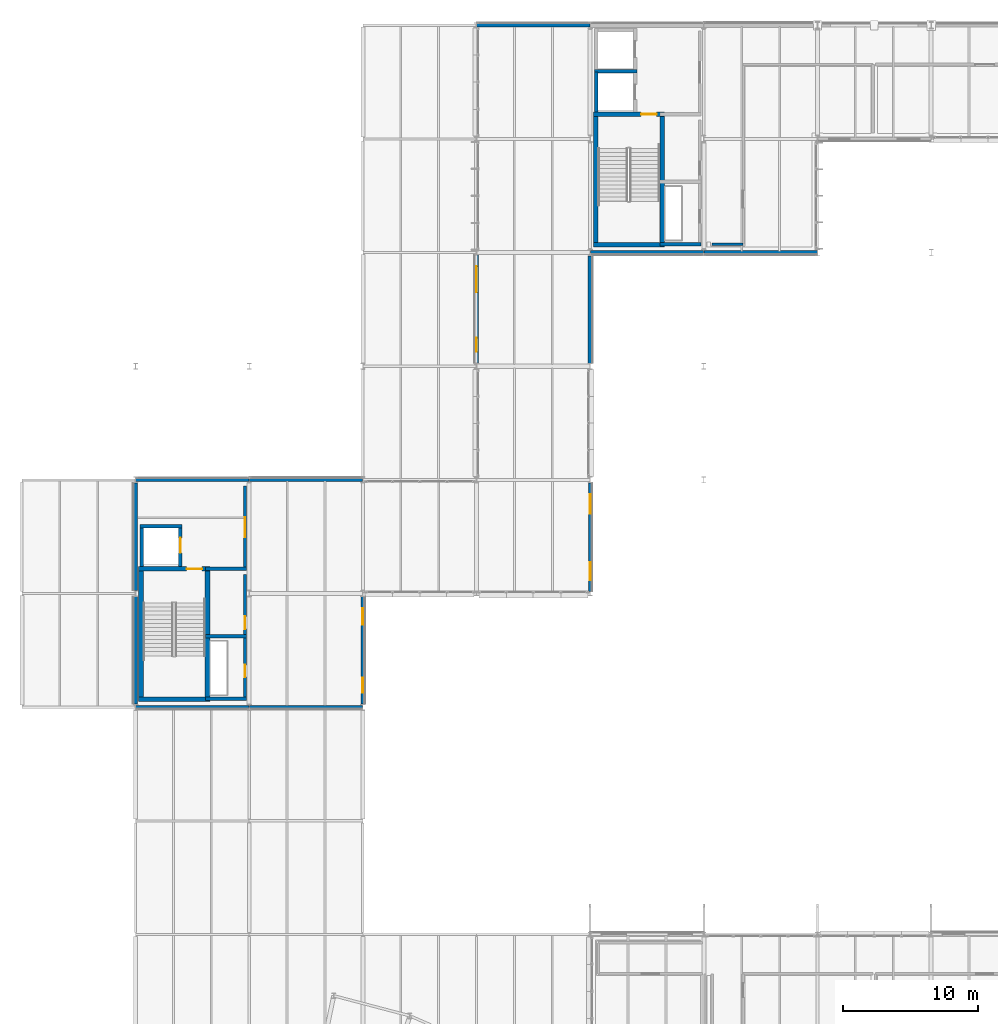
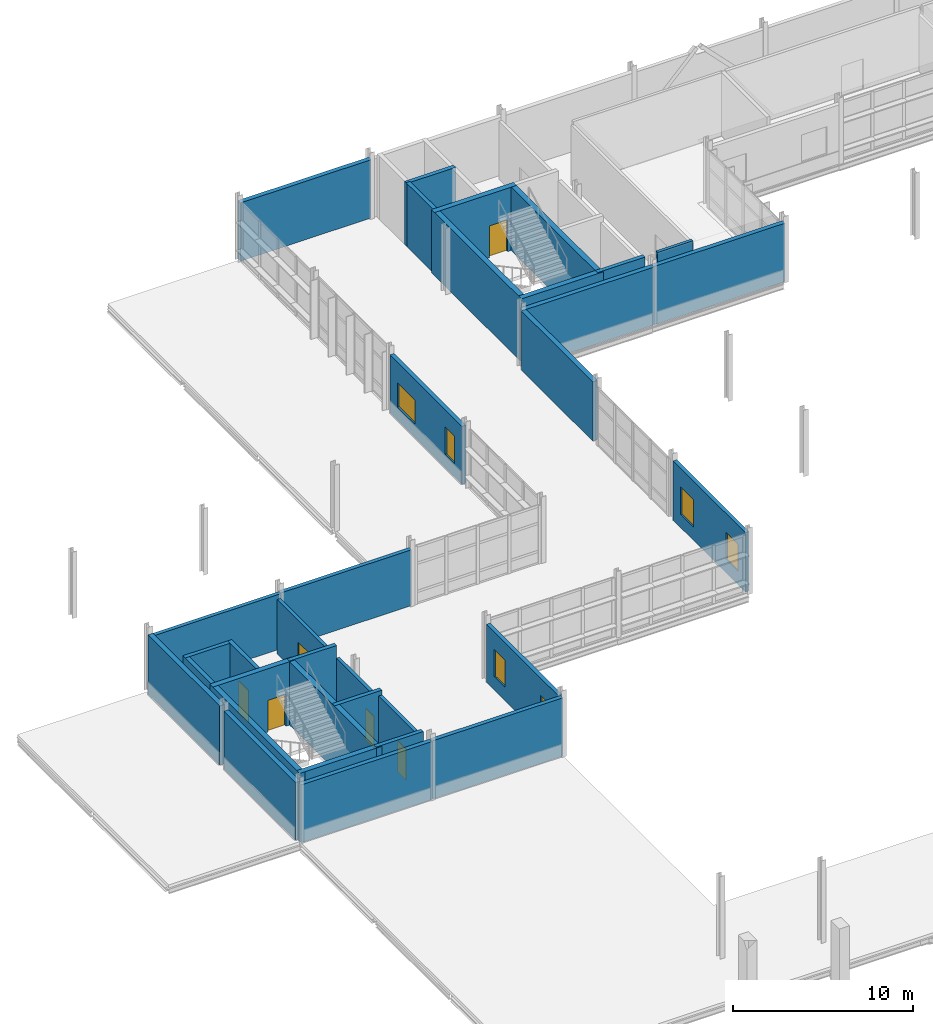
# One storey, part 97 of 129: 34 walls, 6 doors, 6 windows, 12 openings.
"""IFC4 building model written with IfcOpenShell, lengths in metres."""

from ifc_helpers import new_model, si_unit, direction, frame, frame_2d, origin, place, context, subcontext, project, spatial, rectangle, extrude, material, layer, layer_set, type_object, element, fill, save


model = new_model("IFC4")

# Units and contexts
model_context = context("Model", 3, precision=1e-05, world=origin(), true_north=direction((0.0, 1.0)))
body_context = subcontext(model_context, "Body", "Model", "MODEL_VIEW")
ifc_project = project(units=[si_unit("LENGTHUNIT", "METRE"), si_unit("AREAUNIT", "SQUARE_METRE"), si_unit("VOLUMEUNIT", "CUBIC_METRE"), si_unit("PLANEANGLEUNIT", "RADIAN"), si_unit("MASSUNIT", "GRAM", prefix="KILO")], contexts=[model_context])

# Site, building, storey
site_placement = place(None, origin())
site = spatial("IfcSite", under=ifc_project, at=site_placement, CompositionType="ELEMENT")
building_placement = place(site_placement, origin())
building = spatial("IfcBuilding", under=site, at=building_placement, Name="Mersafa Astral City Hall", CompositionType="ELEMENT")
storey_placement = place(building_placement, frame((0.0, 0.0, 5.39990234375)))
storey = spatial("IfcBuildingStorey", under=building, at=storey_placement, Name="L01", CompositionType="ELEMENT", Elevation=5.39990234375)

# Wall
ifc_material_1 = material(Name="Precast concrete C40/50 insulated terracotta spandrel", Category="masonry")
ifc_layer_1 = layer(ifc_material_1, 0.235107421875, Name="Precast concrete C40/50 insulated terracotta spandrel")
ifc_layer_set_1 = layer_set([ifc_layer_1], Name="Precast concrete C40/50 insulated terracotta spandrel — ENV-WAL-EXT-235")
wall_type_1 = type_object("IfcWallType", Name="ENV-WAL-EXT-235", PredefinedType="STANDARD", material=ifc_layer_set_1)
wall_1_placement = place(storey_placement, frame((16.7919921875, 92.39990234375, 0.0), z_axis=(0.0, 0.0, 1.0), x_axis=(-1.0, 0.0, 0.0)))
element("IfcWall", 1, at=wall_1_placement, inside=storey, type_object=wall_type_1, Name="L01 Limestone-clad exterior wall 125", PredefinedType="STANDARD", context=body_context, shape_type="SweptSolid", body=[
    extrude(rectangle(XDim=8.384033203125, YDim=0.235107421875, at=frame_2d((4.19189453125, 0.0))), origin(), (0.0, 0.0, 1.0), 3.732177734375),
])

# Wall, openings, windows
wall_2_placement = place(storey_placement, frame((42.0, 84.14599609375, 0.0), z_axis=(0.0, 0.0, 1.0), x_axis=(0.0, 1.0, 0.0)))
wall_2 = element("IfcWall", 2, at=wall_2_placement, inside=storey, type_object=wall_type_1, Name="L01 Limestone-clad exterior wall 131", PredefinedType="STANDARD", context=body_context, shape_type="SweptSolid", body=[
    extrude(rectangle(XDim=8.032958984375, YDim=0.235107421875, at=frame_2d((4.0166015625, 0.0))), origin(), (0.0, 0.0, 1.0), 4.01220703125),
])
opening_1_placement = place(wall_2_placement, frame((0.85009765625, 0.0, 0.89990234375)))
opening_1 = element("IfcOpeningElement", 3, at=opening_1_placement, cuts=wall_2, Name="Opening W-44", PredefinedType="OPENING", context=body_context, shape_type="SweptSolid", body=[
    extrude(rectangle(XDim=1.320068359375, YDim=1.85009765625, at=frame_2d((0.66015625, 0.925048828125))), frame((0.0, 0.12744140625, 0.0), z_axis=(0.0, -1.0, 0.0), x_axis=(1.0, 0.0, 0.0)), (0.0, 0.0, 1.0), 0.255126953125),
])
opening_2_placement = place(wall_2_placement, frame((5.762939453125, 0.0, 0.89990234375)))
opening_2 = element("IfcOpeningElement", 4, at=opening_2_placement, cuts=wall_2, Name="Opening W-45", PredefinedType="OPENING", context=body_context, shape_type="SweptSolid", body=[
    extrude(rectangle(XDim=1.419921875, YDim=1.85009765625, at=frame_2d((0.7099609375, 0.925048828125))), frame((0.0, 0.12744140625, 0.0), z_axis=(0.0, -1.0, 0.0), x_axis=(1.0, 0.0, 0.0)), (0.0, 0.0, 1.0), 0.255126953125),
])
ifc_material_2 = material(Name="Solar control low-e double glazing in bronze frame", Category="glass")
window_type_1 = type_object("IfcWindowType", Name="ENV-WIN-W-44", PartitioningType="SINGLE_PANEL", PredefinedType="WINDOW", material=ifc_material_2)
window_1_placement = place(opening_1_placement, origin())
window_1 = element("IfcWindow", 5, at=window_1_placement, inside=storey, type_object=window_type_1, Name="L01 Solar punched window 131-L", OverallHeight=1.85009765625, OverallWidth=1.320068359375, PartitioningType="SINGLE_PANEL", PredefinedType="WINDOW", context=body_context, shape_type="SweptSolid", body=[
    extrude(rectangle(XDim=1.320068359375, YDim=1.85009765625, at=frame_2d((0.66015625, 0.925048828125))), frame((0.0, 0.030029296875, 0.0), z_axis=(0.0, -1.0, 0.0), x_axis=(1.0, 0.0, 0.0)), (0.0, 0.0, 1.0), 0.06005859375),
])
fill(opening_1, window_1)
window_type_2 = type_object("IfcWindowType", Name="ENV-WIN-W-45", PartitioningType="SINGLE_PANEL", PredefinedType="WINDOW", material=ifc_material_2)
window_2_placement = place(opening_2_placement, origin())
window_2 = element("IfcWindow", 6, at=window_2_placement, inside=storey, type_object=window_type_2, Name="L01 Solar punched window 131-R", OverallHeight=1.85009765625, OverallWidth=1.419921875, PartitioningType="SINGLE_PANEL", PredefinedType="WINDOW", context=body_context, shape_type="SweptSolid", body=[
    extrude(rectangle(XDim=1.419921875, YDim=1.85009765625, at=frame_2d((0.7099609375, 0.925048828125))), frame((0.0, 0.030029296875, 0.0), z_axis=(0.0, -1.0, 0.0), x_axis=(1.0, 0.0, 0.0)), (0.0, 0.0, 1.0), 0.06005859375),
])
fill(opening_2, window_2)

# Wall
ifc_layer_2 = layer(ifc_material_1, 0.25, Name="Precast concrete C40/50 insulated terracotta spandrel")
ifc_layer_set_2 = layer_set([ifc_layer_2], Name="Precast concrete C40/50 insulated terracotta spandrel — ENV-WAL-EXT-250")
wall_type_2 = type_object("IfcWallType", Name="ENV-WAL-EXT-250", PredefinedType="STANDARD", material=ifc_layer_set_2)
wall_3_placement = place(storey_placement, frame((25.19189453125, 92.39990234375, 0.0), z_axis=(0.0, 0.0, 1.0), x_axis=(-1.0, 0.0, 0.0)))
element("IfcWall", 7, at=wall_3_placement, inside=storey, type_object=wall_type_2, Name="L01 Limestone-clad exterior wall 124", PredefinedType="STANDARD", context=body_context, shape_type="SweptSolid", body=[
    extrude(rectangle(XDim=8.3837890625, YDim=0.25, at=frame_2d((4.19189453125, 0.0))), origin(), (0.0, 0.0, 1.0), 3.781982421875),
])

# Wall, openings, windows
wall_4_placement = place(storey_placement, frame((25.199951171875, 75.821044921875, 0.0), z_axis=(0.0, 0.0, 1.0), x_axis=(0.0, 1.0, 0.0)))
wall_4 = element("IfcWall", 8, at=wall_4_placement, inside=storey, type_object=wall_type_2, Name="L01 Limestone-clad exterior wall 130", PredefinedType="STANDARD", context=body_context, shape_type="SweptSolid", body=[
    extrude(rectangle(XDim=7.9580078125, YDim=0.25, at=frame_2d((3.97900390625, 0.0))), origin(), (0.0, 0.0, 1.0), 3.922119140625),
])
opening_3_placement = place(wall_4_placement, frame((0.85009765625, 0.0, 0.89990234375)))
opening_3 = element("IfcOpeningElement", 9, at=opening_3_placement, cuts=wall_4, Name="Opening W-42", PredefinedType="OPENING", context=body_context, shape_type="SweptSolid", body=[
    extrude(rectangle(XDim=1.1201171875, YDim=1.85009765625, at=frame_2d((0.56005859375, 0.925048828125))), frame((0.0, 0.135009765625, 0.0), z_axis=(0.0, -1.0, 0.0), x_axis=(1.0, 0.0, 0.0)), (0.0, 0.0, 1.0), 0.27001953125),
])
opening_4_placement = place(wall_4_placement, frame((5.887939453125, 0.0, 0.89990234375)))
opening_4 = element("IfcOpeningElement", 10, at=opening_4_placement, cuts=wall_4, Name="Opening W-43", PredefinedType="OPENING", context=body_context, shape_type="SweptSolid", body=[
    extrude(rectangle(XDim=1.219970703125, YDim=1.85009765625, at=frame_2d((0.60986328125, 0.925048828125))), frame((0.0, 0.135009765625, 0.0), z_axis=(0.0, -1.0, 0.0), x_axis=(1.0, 0.0, 0.0)), (0.0, 0.0, 1.0), 0.27001953125),
])
window_type_3 = type_object("IfcWindowType", Name="ENV-WIN-W-42", PartitioningType="SINGLE_PANEL", PredefinedType="WINDOW", material=ifc_material_2)
window_3_placement = place(opening_3_placement, origin())
window_3 = element("IfcWindow", 11, at=window_3_placement, inside=storey, type_object=window_type_3, Name="L01 Solar punched window 130-L", OverallHeight=1.85009765625, OverallWidth=1.1201171875, PartitioningType="SINGLE_PANEL", PredefinedType="WINDOW", context=body_context, shape_type="SweptSolid", body=[
    extrude(rectangle(XDim=1.1201171875, YDim=1.85009765625, at=frame_2d((0.56005859375, 0.925048828125))), frame((0.0, 0.030029296875, 0.0), z_axis=(0.0, -1.0, 0.0), x_axis=(1.0, 0.0, 0.0)), (0.0, 0.0, 1.0), 0.06005859375),
])
fill(opening_3, window_3)
window_type_4 = type_object("IfcWindowType", Name="ENV-WIN-W-43", PartitioningType="SINGLE_PANEL", PredefinedType="WINDOW", material=ifc_material_2)
window_4_placement = place(opening_4_placement, origin())
window_4 = element("IfcWindow", 12, at=window_4_placement, inside=storey, type_object=window_type_4, Name="L01 Solar punched window 130-R", OverallHeight=1.85009765625, OverallWidth=1.219970703125, PartitioningType="SINGLE_PANEL", PredefinedType="WINDOW", context=body_context, shape_type="SweptSolid", body=[
    extrude(rectangle(XDim=1.219970703125, YDim=1.85009765625, at=frame_2d((0.60986328125, 0.925048828125))), frame((0.0, 0.030029296875, 0.0), z_axis=(0.0, -1.0, 0.0), x_axis=(1.0, 0.0, 0.0)), (0.0, 0.0, 1.0), 0.06005859375),
])
fill(opening_4, window_4)

ifc_material_3 = material(Name="Precast concrete C40/50 insulated limestone wall", Category="masonry")
ifc_layer_3 = layer(ifc_material_3, 0.264892578125, Name="Precast concrete C40/50 insulated limestone wall")
ifc_layer_set_3 = layer_set([ifc_layer_3], Name="Precast concrete C40/50 insulated limestone wall — ENV-WAL-EXT-265")
wall_type_3 = type_object("IfcWallType", Name="ENV-WAL-EXT-265", PredefinedType="STANDARD", material=ifc_layer_set_3)
wall_5_placement = place(storey_placement, frame((33.60009765625, 109.033935546875, 0.0), z_axis=(0.0, 0.0, 1.0), x_axis=(0.0, -1.0, 0.0)))
wall_5 = element("IfcWall", 13, at=wall_5_placement, inside=storey, type_object=wall_type_3, Name="L01 Limestone-clad exterior wall 123", PredefinedType="STANDARD", context=body_context, shape_type="SweptSolid", body=[
    extrude(rectangle(XDim=8.012939453125, YDim=0.264892578125, at=frame_2d((4.00634765625, 0.0))), origin(), (0.0, 0.0, 1.0), 3.922119140625),
])
opening_5_placement = place(wall_5_placement, frame((0.85009765625, 0.0, 0.89990234375)))
opening_5 = element("IfcOpeningElement", 14, at=opening_5_placement, cuts=wall_5, Name="Opening W-40", PredefinedType="OPENING", context=body_context, shape_type="SweptSolid", body=[
    extrude(rectangle(XDim=1.919921875, YDim=1.64990234375, at=frame_2d((0.9599609375, 0.824951171875))), frame((0.0, 0.142333984375, 0.0), z_axis=(0.0, -1.0, 0.0), x_axis=(1.0, 0.0, 0.0)), (0.0, 0.0, 1.0), 0.284912109375),
])
opening_6_placement = place(wall_5_placement, frame((6.14306640625, 0.0, 0.89990234375)))
opening_6 = element("IfcOpeningElement", 15, at=opening_6_placement, cuts=wall_5, Name="Opening W-41", PredefinedType="OPENING", context=body_context, shape_type="SweptSolid", body=[
    extrude(rectangle(XDim=1.02001953125, YDim=1.85009765625, at=frame_2d((0.510009765625, 0.925048828125))), frame((0.0, 0.142333984375, 0.0), z_axis=(0.0, -1.0, 0.0), x_axis=(1.0, 0.0, 0.0)), (0.0, 0.0, 1.0), 0.284912109375),
])
window_type_5 = type_object("IfcWindowType", Name="ENV-WIN-W-40", PartitioningType="SINGLE_PANEL", PredefinedType="WINDOW", material=ifc_material_2)
window_5_placement = place(opening_5_placement, origin())
window_5 = element("IfcWindow", 16, at=window_5_placement, inside=storey, type_object=window_type_5, Name="L01 Solar punched window 123-L", OverallHeight=1.64990234375, OverallWidth=1.919921875, PartitioningType="SINGLE_PANEL", PredefinedType="WINDOW", context=body_context, shape_type="SweptSolid", body=[
    extrude(rectangle(XDim=1.919921875, YDim=1.64990234375, at=frame_2d((0.9599609375, 0.824951171875))), frame((0.0, 0.030029296875, 0.0), z_axis=(0.0, -1.0, 0.0), x_axis=(1.0, 0.0, 0.0)), (0.0, 0.0, 1.0), 0.06005859375),
])
fill(opening_5, window_5)
window_type_6 = type_object("IfcWindowType", Name="ENV-WIN-W-41", PartitioningType="SINGLE_PANEL", PredefinedType="WINDOW", material=ifc_material_2)
window_6_placement = place(opening_6_placement, origin())
window_6 = element("IfcWindow", 17, at=window_6_placement, inside=storey, type_object=window_type_6, Name="L01 Solar punched window 123-R", OverallHeight=1.85009765625, OverallWidth=1.02001953125, PartitioningType="SINGLE_PANEL", PredefinedType="WINDOW", context=body_context, shape_type="SweptSolid", body=[
    extrude(rectangle(XDim=1.02001953125, YDim=1.85009765625, at=frame_2d((0.510009765625, 0.925048828125))), frame((0.0, 0.030029296875, 0.0), z_axis=(0.0, -1.0, 0.0), x_axis=(1.0, 0.0, 0.0)), (0.0, 0.0, 1.0), 0.06005859375),
])
fill(opening_6, window_6)

# Walls
wall_6_placement = place(storey_placement, frame((16.80810546875, 75.60009765625, 0.0), z_axis=(0.0, 0.0, 1.0), x_axis=(1.0, 0.0, 0.0)))
element("IfcWall", 18, at=wall_6_placement, inside=storey, type_object=wall_type_3, Name="L01 Limestone-clad exterior wall 129", PredefinedType="STANDARD", context=body_context, shape_type="SweptSolid", body=[
    extrude(rectangle(XDim=8.3837890625, YDim=0.264892578125, at=frame_2d((4.19189453125, 0.0))), origin(), (0.0, 0.0, 1.0), 3.9521484375),
])
ifc_layer_4 = layer(ifc_material_3, 0.280029296875, Name="Precast concrete C40/50 insulated limestone wall")
ifc_layer_set_4 = layer_set([ifc_layer_4], Name="Precast concrete C40/50 insulated limestone wall — ENV-WAL-EXT-280")
wall_type_4 = type_object("IfcWallType", Name="ENV-WAL-EXT-280", PredefinedType="STANDARD", material=ifc_layer_set_4)
wall_7_placement = place(storey_placement, frame((41.991943359375, 126.0, 0.0), z_axis=(0.0, 0.0, 1.0), x_axis=(-1.0, 0.0, 0.0)))
element("IfcWall", 19, at=wall_7_placement, inside=storey, type_object=wall_type_4, Name="L01 Limestone-clad exterior wall 122", PredefinedType="STANDARD", context=body_context, shape_type="SweptSolid", body=[
    extrude(rectangle(XDim=8.384033203125, YDim=0.280029296875, at=frame_2d((4.19189453125, 0.0))), origin(), (0.0, 0.0, 1.0), 3.9521484375),
])
wall_8_placement = place(storey_placement, frame((8.407958984375, 75.60009765625, 0.0), z_axis=(0.0, 0.0, 1.0), x_axis=(1.0, 0.0, 0.0)))
element("IfcWall", 20, at=wall_8_placement, inside=storey, type_object=wall_type_4, Name="L01 Limestone-clad exterior wall 128", PredefinedType="STANDARD", context=body_context, shape_type="SweptSolid", body=[
    extrude(rectangle(XDim=8.384033203125, YDim=0.280029296875, at=frame_2d((4.19189453125, 0.0))), origin(), (0.0, 0.0, 1.0), 3.922119140625),
])
wall_9_placement = place(storey_placement, frame((50.407958984375, 109.199951171875, 0.0), z_axis=(0.0, 0.0, 1.0), x_axis=(1.0, 0.0, 0.0)))
element("IfcWall", 21, at=wall_9_placement, inside=storey, type_object=wall_type_4, Name="L01 Limestone-clad exterior wall 134", PredefinedType="STANDARD", context=body_context, shape_type="SweptSolid", body=[
    extrude(rectangle(XDim=8.384033203125, YDim=0.280029296875, at=frame_2d((4.19189453125, 0.0))), origin(), (0.0, 0.0, 1.0), 3.9521484375),
])
ifc_layer_5 = layer(ifc_material_3, 0.294921875, Name="Precast concrete C40/50 insulated limestone wall")
ifc_layer_set_5 = layer_set([ifc_layer_5], Name="Precast concrete C40/50 insulated limestone wall — ENV-WAL-EXT-295")
wall_type_5 = type_object("IfcWallType", Name="ENV-WAL-EXT-295", PredefinedType="STANDARD", material=ifc_layer_set_5)
wall_10_placement = place(storey_placement, frame((8.39990234375, 83.779052734375, 0.0), z_axis=(0.0, 0.0, 1.0), x_axis=(0.0, -1.0, 0.0)))
element("IfcWall", 22, at=wall_10_placement, inside=storey, type_object=wall_type_5, Name="L01 Limestone-clad exterior wall 127", PredefinedType="STANDARD", context=body_context, shape_type="SweptSolid", body=[
    extrude(rectangle(XDim=7.9580078125, YDim=0.294921875, at=frame_2d((3.97900390625, 0.0))), origin(), (0.0, 0.0, 1.0), 3.922119140625),
])
wall_11_placement = place(storey_placement, frame((42.008056640625, 109.199951171875, 0.0), z_axis=(0.0, 0.0, 1.0), x_axis=(1.0, 0.0, 0.0)))
element("IfcWall", 23, at=wall_11_placement, inside=storey, type_object=wall_type_5, Name="L01 Limestone-clad exterior wall 133", PredefinedType="STANDARD", context=body_context, shape_type="SweptSolid", body=[
    extrude(rectangle(XDim=8.384033203125, YDim=0.294921875, at=frame_2d((4.19189453125, 0.0))), origin(), (0.0, 0.0, 1.0), 3.922119140625),
])
ifc_layer_6 = layer(ifc_material_3, 0.31005859375, Name="Precast concrete C40/50 insulated limestone wall")
ifc_layer_set_6 = layer_set([ifc_layer_6], Name="Precast concrete C40/50 insulated limestone wall — ENV-WAL-EXT-310")
wall_type_6 = type_object("IfcWallType", Name="ENV-WAL-EXT-310", PredefinedType="STANDARD", material=ifc_layer_set_6)
wall_12_placement = place(storey_placement, frame((8.39990234375, 92.178955078125, 0.0), z_axis=(0.0, 0.0, 1.0), x_axis=(0.0, -1.0, 0.0)))
element("IfcWall", 24, at=wall_12_placement, inside=storey, type_object=wall_type_6, Name="L01 Limestone-clad exterior wall 126", PredefinedType="STANDARD", context=body_context, shape_type="SweptSolid", body=[
    extrude(rectangle(XDim=7.9580078125, YDim=0.31005859375, at=frame_2d((3.97900390625, 0.0))), origin(), (0.0, 0.0, 1.0), 4.01220703125),
])
wall_13_placement = place(storey_placement, frame((42.0, 101.02099609375, 0.0), z_axis=(0.0, 0.0, 1.0), x_axis=(0.0, 1.0, 0.0)))
element("IfcWall", 25, at=wall_13_placement, inside=storey, type_object=wall_type_6, Name="L01 Limestone-clad exterior wall 132", PredefinedType="STANDARD", context=body_context, shape_type="SweptSolid", body=[
    extrude(rectangle(XDim=7.93310546875, YDim=0.31005859375, at=frame_2d((3.966552734375, 0.0))), origin(), (0.0, 0.0, 1.0), 4.01220703125),
])
ifc_material_4 = material(Name="Concrete C40/50", Category="concrete")
ifc_layer_7 = layer(ifc_material_4, 0.260009765625, Name="Concrete C40/50")
ifc_layer_set_7 = layer_set([ifc_layer_7], Name="Concrete C40/50 — INT-WAL-CORE-260")
wall_type_7 = type_object("IfcWallType", Name="INT-WAL-CORE-260", PredefinedType="SHEAR", material=ifc_layer_set_7)
wall_14_placement = place(storey_placement, frame((42.31494140625, 122.5849609375, 0.0), z_axis=(0.0, 0.0, 1.0), x_axis=(1.0, 0.0, 0.0)))
element("IfcWall", 26, at=wall_14_placement, inside=storey, type_object=wall_type_7, Name="L01 Lift LF5 north shaft wall", PredefinedType="SHEAR", context=body_context, shape_type="SweptSolid", body=[
    extrude(rectangle(XDim=3.130126953125, YDim=0.260009765625, at=frame_2d((1.56494140625, 0.0))), origin(), (0.0, 0.0, 1.0), 4.2900390625),
])
wall_15_placement = place(storey_placement, frame((42.445068359375, 119.596923828125, 0.0), z_axis=(0.0, 0.0, 1.0), x_axis=(0.0, 1.0, 0.0)))
element("IfcWall", 27, at=wall_15_placement, inside=storey, type_object=wall_type_7, Name="L01 Lift LF5 back shaft wall", PredefinedType="SHEAR", context=body_context, shape_type="SweptSolid", body=[
    extrude(rectangle(XDim=2.947998046875, YDim=0.260009765625, at=frame_2d((1.47412109375, 0.0))), origin(), (0.0, 0.0, 1.0), 4.2900390625),
])
wall_16_placement = place(storey_placement, frame((47.1650390625, 109.820068359375, 0.0), z_axis=(0.0, 0.0, 1.0), x_axis=(1.0, 0.0, 0.0)))
element("IfcWall", 28, at=wall_16_placement, inside=storey, type_object=wall_type_7, Name="L01 Core K3 riser south wall", PredefinedType="SHEAR", context=body_context, shape_type="SweptSolid", body=[
    extrude(rectangle(XDim=3.034912109375, YDim=0.260009765625, at=frame_2d((1.517578125, 0.0))), origin(), (0.0, 0.0, 1.0), 4.2900390625),
])
wall_17_placement = place(storey_placement, frame((8.715087890625, 88.985107421875, 0.0), z_axis=(0.0, 0.0, 1.0), x_axis=(1.0, 0.0, 0.0)))
element("IfcWall", 29, at=wall_17_placement, inside=storey, type_object=wall_type_7, Name="L01 Lift LF8 north shaft wall", PredefinedType="SHEAR", context=body_context, shape_type="SweptSolid", body=[
    extrude(rectangle(XDim=3.1298828125, YDim=0.260009765625, at=frame_2d((1.56494140625, 0.0))), origin(), (0.0, 0.0, 1.0), 4.2900390625),
])
wall_18_placement = place(storey_placement, frame((8.844970703125, 85.9970703125, 0.0), z_axis=(0.0, 0.0, 1.0), x_axis=(0.0, 1.0, 0.0)))
element("IfcWall", 30, at=wall_18_placement, inside=storey, type_object=wall_type_7, Name="L01 Lift LF8 back shaft wall", PredefinedType="SHEAR", context=body_context, shape_type="SweptSolid", body=[
    extrude(rectangle(XDim=3.117919921875, YDim=0.260009765625, at=frame_2d((1.55908203125, 0.0))), origin(), (0.0, 0.0, 1.0), 4.2900390625),
])

# Wall, opening, door
wall_19_placement = place(storey_placement, frame((11.715087890625, 85.9970703125, 0.0), z_axis=(0.0, 0.0, 1.0), x_axis=(0.0, 1.0, 0.0)))
wall_19 = element("IfcWall", 31, at=wall_19_placement, inside=storey, type_object=wall_type_7, Name="L01 Lift LF8 front shaft wall", PredefinedType="SHEAR", context=body_context, shape_type="SweptSolid", body=[
    extrude(rectangle(XDim=3.117919921875, YDim=0.260009765625, at=frame_2d((1.55908203125, 0.0))), origin(), (0.0, 0.0, 1.0), 4.2900390625),
])
opening_7_placement = place(wall_19_placement, frame((1.009033203125, 0.0, 0.0)))
opening_7 = element("IfcOpeningElement", 32, at=opening_7_placement, cuts=wall_19, Name="Opening LD-1", PredefinedType="OPENING", context=body_context, shape_type="SweptSolid", body=[
    extrude(rectangle(XDim=1.10009765625, YDim=2.14990234375, at=frame_2d((0.550048828125, 1.074951171875))), frame((0.0, 0.139892578125, 0.0), z_axis=(0.0, -1.0, 0.0), x_axis=(1.0, 0.0, 0.0)), (0.0, 0.0, 1.0), 0.280029296875),
])
ifc_material_5 = material(Name="Stainless steel sliding lift landing door", Category="steel")
door_type_1 = type_object("IfcDoorType", Name="INT-DR-LIFT-LD1", OperationType="NOTDEFINED", PredefinedType="DOOR", material=ifc_material_5)
door_1_placement = place(opening_7_placement, origin())
door_1 = element("IfcDoor", 33, at=door_1_placement, inside=storey, type_object=door_type_1, Name="Elevator LF8 Sliding Landing Door L01", OperationType="DOUBLE_DOOR_SLIDING", OverallHeight=2.14990234375, OverallWidth=1.10009765625, PredefinedType="DOOR", context=body_context, shape_type="SweptSolid", body=[
    extrude(rectangle(XDim=1.10009765625, YDim=2.14990234375, at=frame_2d((0.550048828125, 1.074951171875))), frame((0.0, 0.02490234375, 0.0), z_axis=(0.0, -1.0, 0.0), x_axis=(1.0, 0.0, 0.0)), (0.0, 0.0, 1.0), 0.050048828125),
])
fill(opening_7, door_1)

# Walls
for number, where, z_axis, x_axis, name in (
    (34, (13.56494140625, 76.219970703125, 0.0), (0.0, 0.0, 1.0), (1.0, 0.0, 0.0), "L01 Core K6 riser south wall"),
    (35, (13.56494140625, 80.8349609375, 0.0), (0.0, 0.0, 1.0), (1.0, 0.0, 0.0), "L01 Core K6 riser-restroom divider wall"),
    (36, (13.56494140625, 85.8349609375, 0.0), (0.0, 0.0, 1.0), (1.0, 0.0, 0.0), "L01 Core K6 restroom-lobby divider wall"),
):
    element("IfcWall", number, at=place(storey_placement, frame(where, z_axis=z_axis, x_axis=x_axis)), inside=storey, type_object=wall_type_7, Name=name, PredefinedType="SHEAR", context=body_context, shape_type="SweptSolid", body=[
        extrude(rectangle(XDim=3.03515625, YDim=0.260009765625, at=frame_2d((1.517578125, 0.0))), origin(), (0.0, 0.0, 1.0), 4.2900390625),
    ])
ifc_layer_8 = layer(ifc_material_4, 0.340087890625, Name="Concrete C40/50")
ifc_layer_set_8 = layer_set([ifc_layer_8], Name="Concrete C40/50 — INT-WAL-CORE-340")
wall_type_8 = type_object("IfcWallType", Name="INT-WAL-CORE-340", PredefinedType="SHEAR", material=ifc_layer_set_8)
for number, where, z_axis, x_axis, name in (
    (37, (42.405029296875, 109.60498046875, 0.0), (0.0, 0.0, 1.0), (0.0, 1.0, 0.0), "L01 Core K3 stair west shear wall"),
    (38, (47.31494140625, 109.60498046875, 0.0), (0.0, 0.0, 1.0), (0.0, 1.0, 0.0), "L01 Core K3 stair east shear wall"),
):
    element("IfcWall", number, at=place(storey_placement, frame(where, z_axis=z_axis, x_axis=x_axis)), inside=storey, type_object=wall_type_8, Name=name, PredefinedType="SHEAR", context=body_context, shape_type="SweptSolid", body=[
        extrude(rectangle(XDim=9.989990234375, YDim=0.340087890625, at=frame_2d((4.9951171875, 0.0))), origin(), (0.0, 0.0, 1.0), 4.2900390625),
    ])
wall_20_placement = place(storey_placement, frame((42.235107421875, 109.77490234375, 0.0), z_axis=(0.0, 0.0, 1.0), x_axis=(1.0, 0.0, 0.0)))
element("IfcWall", 39, at=wall_20_placement, inside=storey, type_object=wall_type_8, Name="L01 Core K3 stair south shear wall", PredefinedType="SHEAR", context=body_context, shape_type="SweptSolid", body=[
    extrude(rectangle(XDim=5.25, YDim=0.340087890625, at=frame_2d((2.625, 0.0))), origin(), (0.0, 0.0, 1.0), 4.2900390625),
])

# Wall, opening, door
wall_21_placement = place(storey_placement, frame((42.235107421875, 119.425048828125, 0.0), z_axis=(0.0, 0.0, 1.0), x_axis=(1.0, 0.0, 0.0)))
wall_21 = element("IfcWall", 40, at=wall_21_placement, inside=storey, type_object=wall_type_8, Name="L01 Core K3 stair-lobby fire wall", PredefinedType="SHEAR", context=body_context, shape_type="SweptSolid", body=[
    extrude(rectangle(XDim=5.25, YDim=0.340087890625, at=frame_2d((2.625, 0.0))), origin(), (0.0, 0.0, 1.0), 4.2900390625),
])
opening_8_placement = place(wall_21_placement, frame((3.534912109375, 0.0, 0.0)))
opening_8 = element("IfcOpeningElement", 41, at=opening_8_placement, cuts=wall_21, Name="Opening CD-1", PredefinedType="OPENING", context=body_context, shape_type="SweptSolid", body=[
    extrude(rectangle(XDim=1.14990234375, YDim=2.14990234375, at=frame_2d((0.574951171875, 1.074951171875))), frame((0.0, 0.179931640625, 0.0), z_axis=(0.0, -1.0, 0.0), x_axis=(1.0, 0.0, 0.0)), (0.0, 0.0, 1.0), 0.360107421875),
])
ifc_material_6 = material(Name="Fire-rated steel stair door", Category="steel")
door_type_2 = type_object("IfcDoorType", Name="INT-DR-STAIR-FD90-1150", OperationType="NOTDEFINED", PredefinedType="DOOR", material=ifc_material_6)
door_2_placement = place(opening_8_placement, origin())
door_2 = element("IfcDoor", 42, at=door_2_placement, inside=storey, type_object=door_type_2, Name="L01 Protected Stair ST3 Door", OperationType="SINGLE_SWING_LEFT", OverallHeight=2.14990234375, OverallWidth=1.14990234375, PredefinedType="DOOR", context=body_context, shape_type="SweptSolid", body=[
    extrude(rectangle(XDim=1.14990234375, YDim=2.14990234375, at=frame_2d((0.574951171875, 1.074951171875))), frame((0.0, 0.02490234375, 0.0), z_axis=(0.0, -1.0, 0.0), x_axis=(1.0, 0.0, 0.0)), (0.0, 0.0, 1.0), 0.050048828125),
])
fill(opening_8, door_2)

# Walls
for number, where, z_axis, x_axis, name in (
    (43, (8.804931640625, 76.0048828125, 0.0), (0.0, 0.0, 1.0), (0.0, 1.0, 0.0), "L01 Core K6 stair west shear wall"),
    (44, (13.715087890625, 76.0048828125, 0.0), (0.0, 0.0, 1.0), (0.0, 1.0, 0.0), "L01 Core K6 stair east shear wall"),
):
    element("IfcWall", number, at=place(storey_placement, frame(where, z_axis=z_axis, x_axis=x_axis)), inside=storey, type_object=wall_type_8, Name=name, PredefinedType="SHEAR", context=body_context, shape_type="SweptSolid", body=[
        extrude(rectangle(XDim=9.990234375, YDim=0.340087890625, at=frame_2d((4.9951171875, 0.0))), origin(), (0.0, 0.0, 1.0), 4.2900390625),
    ])
wall_22_placement = place(storey_placement, frame((8.635009765625, 76.175048828125, 0.0), z_axis=(0.0, 0.0, 1.0), x_axis=(1.0, 0.0, 0.0)))
element("IfcWall", 45, at=wall_22_placement, inside=storey, type_object=wall_type_8, Name="L01 Core K6 stair south shear wall", PredefinedType="SHEAR", context=body_context, shape_type="SweptSolid", body=[
    extrude(rectangle(XDim=5.25, YDim=0.340087890625, at=frame_2d((2.625, 0.0))), origin(), (0.0, 0.0, 1.0), 4.2900390625),
])

# Wall, opening, door
wall_23_placement = place(storey_placement, frame((8.635009765625, 85.824951171875, 0.0), z_axis=(0.0, 0.0, 1.0), x_axis=(1.0, 0.0, 0.0)))
wall_23 = element("IfcWall", 46, at=wall_23_placement, inside=storey, type_object=wall_type_8, Name="L01 Core K6 stair-lobby fire wall", PredefinedType="SHEAR", context=body_context, shape_type="SweptSolid", body=[
    extrude(rectangle(XDim=5.25, YDim=0.340087890625, at=frame_2d((2.625, 0.0))), origin(), (0.0, 0.0, 1.0), 4.2900390625),
])
opening_9_placement = place(wall_23_placement, frame((3.534912109375, 0.0, 0.0)))
opening_9 = element("IfcOpeningElement", 47, at=opening_9_placement, cuts=wall_23, Name="Opening CD-1", PredefinedType="OPENING", context=body_context, shape_type="SweptSolid", body=[
    extrude(rectangle(XDim=1.14990234375, YDim=2.14990234375, at=frame_2d((0.574951171875, 1.074951171875))), frame((0.0, 0.179931640625, 0.0), z_axis=(0.0, -1.0, 0.0), x_axis=(1.0, 0.0, 0.0)), (0.0, 0.0, 1.0), 0.360107421875),
])
door_3_placement = place(opening_9_placement, origin())
door_3 = element("IfcDoor", 48, at=door_3_placement, inside=storey, type_object=door_type_2, Name="L01 Protected Stair ST6 Door", OperationType="SINGLE_SWING_LEFT", OverallHeight=2.14990234375, OverallWidth=1.14990234375, PredefinedType="DOOR", context=body_context, shape_type="SweptSolid", body=[
    extrude(rectangle(XDim=1.14990234375, YDim=2.14990234375, at=frame_2d((0.574951171875, 1.074951171875))), frame((0.0, 0.02490234375, 0.0), z_axis=(0.0, -1.0, 0.0), x_axis=(1.0, 0.0, 0.0)), (0.0, 0.0, 1.0), 0.050048828125),
])
fill(opening_9, door_3)

# Wall
ifc_material_7 = material(Name="Acoustic twin-stud gypsum partition", Category="gypsum")
ifc_layer_9 = layer(ifc_material_7, 0.195068359375, Name="Acoustic twin-stud gypsum partition")
ifc_layer_set_9 = layer_set([ifc_layer_9], Name="Acoustic twin-stud gypsum partition — INT-WAL-PART-EI60-195")
wall_type_9 = type_object("IfcWallType", Name="INT-WAL-PART-EI60-195", PredefinedType="STANDARD", material=ifc_layer_set_9)
wall_24_placement = place(storey_placement, frame((51.02001953125, 109.820068359375, -0.00390625), z_axis=(0.0, 0.0, 1.0), x_axis=(1.0, 0.0, 0.0)))
element("IfcWall", 49, at=wall_24_placement, inside=storey, type_object=wall_type_9, Name="L01 Interior partition wall 313", PredefinedType="STANDARD", context=body_context, shape_type="SweptSolid", body=[
    extrude(rectangle(XDim=2.280029296875, YDim=0.195068359375, at=frame_2d((1.14013671875, 0.0))), origin(), (0.0, 0.0, 1.0), 4.2939453125),
])

# Wall, opening, door
ifc_material_8 = material(Name="Autoclaved aerated concrete blockwork plastered", Category="masonry")
ifc_layer_10 = layer(ifc_material_8, 0.2099609375, Name="Autoclaved aerated concrete blockwork plastered")
ifc_layer_set_10 = layer_set([ifc_layer_10], Name="Autoclaved aerated concrete blockwork plastered — INT-WAL-PART-EI60-210")
wall_type_10 = type_object("IfcWallType", Name="INT-WAL-PART-EI60-210", PredefinedType="STANDARD", material=ifc_layer_set_10)
wall_25_placement = place(storey_placement, frame((16.5, 76.219970703125, 0.0), z_axis=(0.0, 0.0, 1.0), x_axis=(0.0, 1.0, 0.0)))
wall_25 = element("IfcWall", 50, at=wall_25_placement, inside=storey, type_object=wall_type_10, Name="L01 Core K6 riser corridor partition", PredefinedType="STANDARD", context=body_context, shape_type="SweptSolid", body=[
    extrude(rectangle(XDim=4.590087890625, YDim=0.2099609375, at=frame_2d((2.294921875, 0.0))), origin(), (0.0, 0.0, 1.0), 3.97216796875),
])
opening_10_placement = place(wall_25_placement, frame((1.60009765625, 0.0, 0.0)))
opening_10 = element("IfcOpeningElement", 51, at=opening_10_placement, cuts=wall_25, Name="Opening CD-5", PredefinedType="OPENING", context=body_context, shape_type="SweptSolid", body=[
    extrude(rectangle(XDim=0.89990234375, YDim=2.10009765625, at=frame_2d((0.449951171875, 1.050048828125))), frame((0.0, 0.114990234375, 0.0), z_axis=(0.0, -1.0, 0.0), x_axis=(1.0, 0.0, 0.0)), (0.0, 0.0, 1.0), 0.22998046875),
])
ifc_material_9 = material(Name="Fire-rated steel riser access door", Category="steel")
door_type_3 = type_object("IfcDoorType", Name="INT-DR-RISER-FD60-900", OperationType="NOTDEFINED", PredefinedType="DOOR", material=ifc_material_9)
door_4_placement = place(opening_10_placement, origin())
door_4 = element("IfcDoor", 52, at=door_4_placement, inside=storey, type_object=door_type_3, Name="L01 K6 MEP Riser Access Door", OperationType="SINGLE_SWING_RIGHT", OverallHeight=2.10009765625, OverallWidth=0.89990234375, PredefinedType="DOOR", context=body_context, shape_type="SweptSolid", body=[
    extrude(rectangle(XDim=0.89990234375, YDim=2.10009765625, at=frame_2d((0.449951171875, 1.050048828125))), frame((0.0, 0.02490234375, 0.0), z_axis=(0.0, -1.0, 0.0), x_axis=(1.0, 0.0, 0.0)), (0.0, 0.0, 1.0), 0.050048828125),
])
fill(opening_10, door_4)

wall_26_placement = place(storey_placement, frame((16.5, 80.919921875, 0.0), z_axis=(0.0, 0.0, 1.0), x_axis=(0.0, 1.0, 0.0)))
wall_26 = element("IfcWall", 53, at=wall_26_placement, inside=storey, type_object=wall_type_10, Name="L01 Core K6 accessible WC corridor partition", PredefinedType="STANDARD", context=body_context, shape_type="SweptSolid", body=[
    extrude(rectangle(XDim=4.47998046875, YDim=0.2099609375, at=frame_2d((2.239990234375, 0.0))), origin(), (0.0, 0.0, 1.0), 3.68212890625),
])
opening_11_placement = place(wall_26_placement, frame((0.449951171875, 0.0, 0.0)))
opening_11 = element("IfcOpeningElement", 54, at=opening_11_placement, cuts=wall_26, Name="Opening CD-4", PredefinedType="OPENING", context=body_context, shape_type="SweptSolid", body=[
    extrude(rectangle(XDim=0.949951171875, YDim=2.14990234375, at=frame_2d((0.47509765625, 1.074951171875))), frame((0.0, 0.114990234375, 0.0), z_axis=(0.0, -1.0, 0.0), x_axis=(1.0, 0.0, 0.0)), (0.0, 0.0, 1.0), 0.22998046875),
])
ifc_material_10 = material(Name="Accessible timber acoustic WC door", Category="wood")
door_type_4 = type_object("IfcDoorType", Name="INT-DR-WC-FD30-950", OperationType="NOTDEFINED", PredefinedType="DOOR", material=ifc_material_10)
door_5_placement = place(opening_11_placement, origin())
door_5 = element("IfcDoor", 55, at=door_5_placement, inside=storey, type_object=door_type_4, Name="L01 K6 Accessible Restroom Door", OperationType="SINGLE_SWING_LEFT", OverallHeight=2.14990234375, OverallWidth=0.949951171875, PredefinedType="DOOR", context=body_context, shape_type="SweptSolid", body=[
    extrude(rectangle(XDim=0.949951171875, YDim=2.14990234375, at=frame_2d((0.47509765625, 1.074951171875))), frame((0.0, 0.02490234375, 0.0), z_axis=(0.0, -1.0, 0.0), x_axis=(1.0, 0.0, 0.0)), (0.0, 0.0, 1.0), 0.050048828125),
])
fill(opening_11, door_5)

wall_27_placement = place(storey_placement, frame((16.5, 85.840087890625, 0.0), z_axis=(0.0, 0.0, 1.0), x_axis=(0.0, 1.0, 0.0)))
wall_27 = element("IfcWall", 56, at=wall_27_placement, inside=storey, type_object=wall_type_10, Name="L01 Core K6 lobby corridor partition", PredefinedType="STANDARD", context=body_context, shape_type="SweptSolid", body=[
    extrude(rectangle(XDim=6.119873046875, YDim=0.2099609375, at=frame_2d((3.06005859375, 0.0))), origin(), (0.0, 0.0, 1.0), 3.68212890625),
])
opening_12_placement = place(wall_27_placement, frame((2.31005859375, 0.0, 0.0)))
opening_12 = element("IfcOpeningElement", 57, at=opening_12_placement, cuts=wall_27, Name="Opening CD-3", PredefinedType="OPENING", context=body_context, shape_type="SweptSolid", body=[
    extrude(rectangle(XDim=1.5, YDim=2.199951171875, at=frame_2d((0.75, 1.10009765625))), frame((0.0, 0.114990234375, 0.0), z_axis=(0.0, -1.0, 0.0), x_axis=(1.0, 0.0, 0.0)), (0.0, 0.0, 1.0), 0.22998046875),
])
ifc_material_11 = material(Name="Fire-rated glazed lobby door pair", Category="metal")
door_type_5 = type_object("IfcDoorType", Name="INT-DR-LOBBY-FD90-1500", OperationType="NOTDEFINED", PredefinedType="DOOR", material=ifc_material_11)
door_6_placement = place(opening_12_placement, origin())
door_6 = element("IfcDoor", 58, at=door_6_placement, inside=storey, type_object=door_type_5, Name="L01 K6 Lift Lobby Fire Door", OperationType="DOUBLE_DOOR_SINGLE_SWING", OverallHeight=2.199951171875, OverallWidth=1.5, PredefinedType="DOOR", context=body_context, shape_type="SweptSolid", body=[
    extrude(rectangle(XDim=1.5, YDim=2.199951171875, at=frame_2d((0.75, 1.10009765625))), frame((0.0, 0.02490234375, 0.0), z_axis=(0.0, -1.0, 0.0), x_axis=(1.0, 0.0, 0.0)), (0.0, 0.0, 1.0), 0.050048828125),
])
fill(opening_12, door_6)

save(model, "model.ifc")
